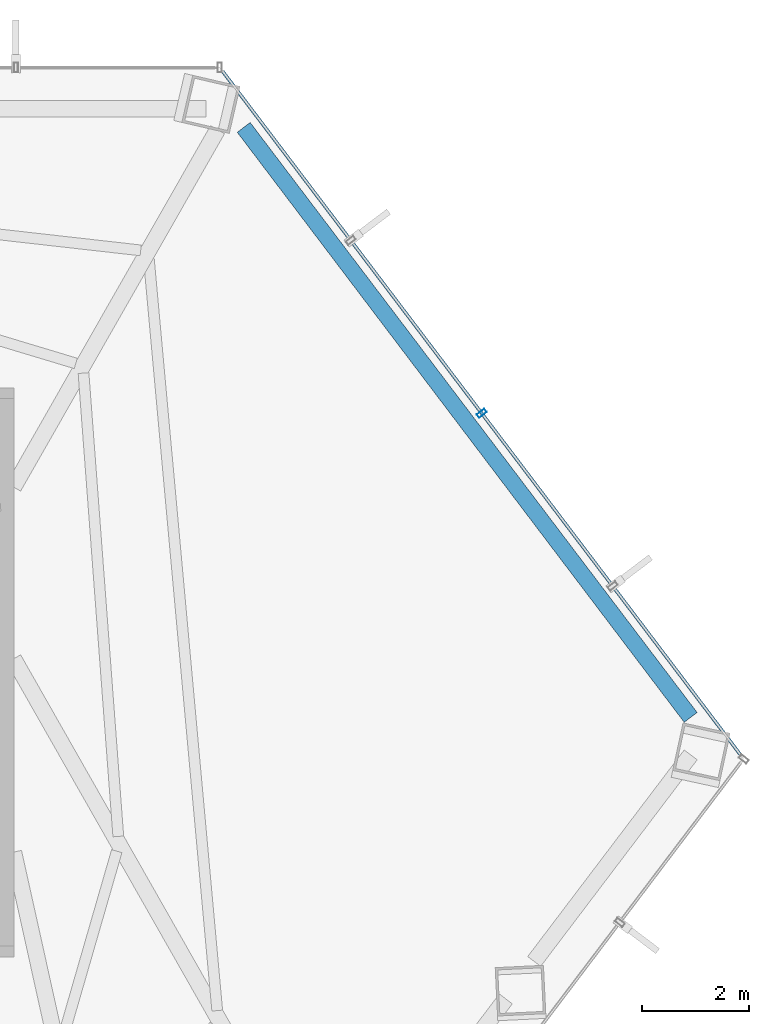
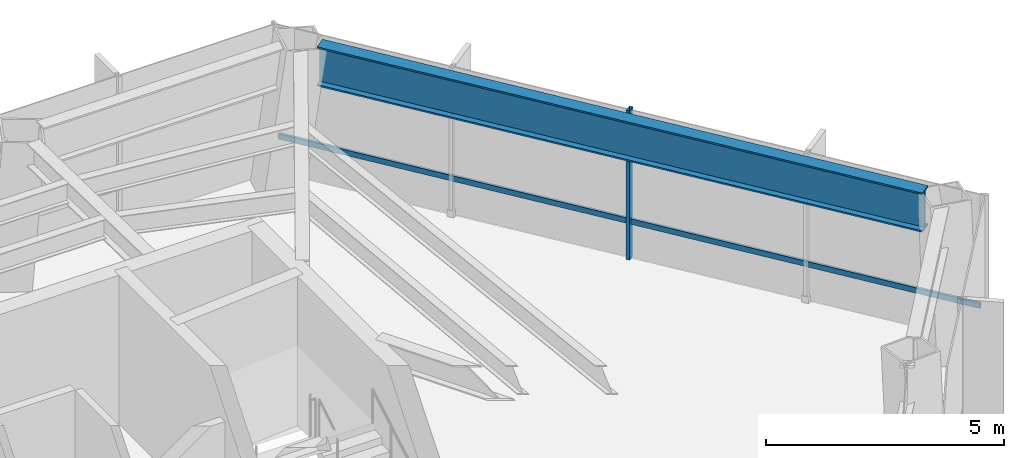
# One storey, part 21 of 26: 2 members, 1 beam, 1 element without a shape of its own.
"""IFC4 building model written with IfcOpenShell, lengths in metres."""

from ifc_helpers import new_model, si_unit, direction, frame, origin, origin_2d, place, context, subcontext, project, spatial, hollow_rectangle, i_section, extrude, material, layer, layer_set, material_profile, profile_set, type_object, element, aggregate, save


model = new_model("IFC4")

# Units and contexts
model_context = context("Model", 3, precision=1e-05, world=origin(), true_north=direction((0.0, 1.0)))
body_context = subcontext(model_context, "Body", "Model", "MODEL_VIEW")
ifc_project = project(units=[si_unit("LENGTHUNIT", "METRE"), si_unit("AREAUNIT", "SQUARE_METRE"), si_unit("VOLUMEUNIT", "CUBIC_METRE"), si_unit("PLANEANGLEUNIT", "RADIAN"), si_unit("MASSUNIT", "GRAM", prefix="KILO")], contexts=[model_context])

# Site, building, storey
site_placement = place(None, origin())
site = spatial("IfcSite", under=ifc_project, at=site_placement, CompositionType="ELEMENT")
building_placement = place(site_placement, origin())
building = spatial("IfcBuilding", under=site, at=building_placement, Name="Zarrinselat Tower", CompositionType="ELEMENT")
storey_placement = place(building_placement, frame((0.0, 0.0, 92.820068359375)))
storey = spatial("IfcBuildingStorey", under=building, at=storey_placement, Name="L22", CompositionType="ELEMENT", Elevation=92.820068359375)

# Beam
ifc_material_1 = material(Name="Steel S460M", Category="steel")
ifc_material_profile_1 = material_profile(ifc_material_1, i_section(OverallWidth=0.302001953125, OverallDepth=1.008056640625, WebThickness=0.02099609375, FlangeThickness=0.0400390625, at=origin_2d()), Name="HEM 1000")
ifc_profile_set_1 = profile_set([ifc_material_profile_1], Name="Steel S460M")
beam_type = type_object("IfcBeamType", Name="BM-HEM1000", PredefinedType="BEAM", material=ifc_profile_set_1)
beam_placement = place(storey_placement, frame((52.736083984375, 48.5009765625, 3.31591796875), z_axis=(0.603848484221, -0.797099120627, 0.0), x_axis=(0.797099120627, 0.603848484221, 0.0)))
element("IfcBeam", 1, at=beam_placement, inside=storey, type_object=beam_type, Name="L22 Perimeter Spandrel Girder SP15", PredefinedType="BEAM", context=body_context, shape_type="SweptSolid", body=[
    extrude(i_section(OverallWidth=0.302001953125, OverallDepth=1.008056640625, WebThickness=0.02099609375, FlangeThickness=0.0400390625, at=origin_2d()), origin(), (0.0, 0.0, 1.0), 13.789306640625),
])

# Curtain wall, members
ifc_material_2 = material(Name="Extruded Aluminium Alloy EN AW-6063 T6", Category="aluminium")
ifc_layer = layer(ifc_material_2, 0.18505859375)
ifc_layer_set = layer_set([ifc_layer], Name="Extruded Aluminium Alloy EN AW-6063 T6")
curtain_wall_type = type_object("IfcCurtainWallType", Name="CWS-OFF", PredefinedType="NOTDEFINED", material=ifc_layer_set)
curtain_wall_placement = place(storey_placement, origin())
curtain_wall = element("IfcCurtainWall", 2, at=curtain_wall_placement, inside=storey, type_object=curtain_wall_type, Name="L22 Unitised Curtain Wall CW-L22-E06", PredefinedType="NOTDEFINED")
ifc_material_3 = material(Name="Extruded Aluminium Alloy EN AW-6063 T6", Category="aluminium")
ifc_material_profile_2 = material_profile(ifc_material_3, hollow_rectangle(XDim=0.080078125, YDim=0.179931640625, WallThickness=0.0048828125, at=origin_2d()), Name="RHS 180x80x5")
ifc_profile_set_2 = profile_set([ifc_material_profile_2], Name="Extruded Aluminium Alloy EN AW-6063 T6")
member_type_1 = type_object("IfcMemberType", Name="MEM-CW-MUL", PredefinedType="MULLION", material=ifc_profile_set_2)
member_1_placement = place(storey_placement, frame((57.1708984375, 43.17578125, 0.0), z_axis=(0.0, 0.0, 1.0), x_axis=(-0.603858164533, 0.797091787141, 0.0)))
member_1 = element("IfcMember", 3, at=member_1_placement, type_object=member_type_1, Name="CW-L22-E06 Mullion 2", PredefinedType="MULLION", context=body_context, shape_type="SweptSolid", body=[
    extrude(hollow_rectangle(XDim=0.080078125, YDim=0.179931640625, WallThickness=0.0048828125, at=origin_2d()), origin(), (0.0, 0.0, 1.0), 3.81982421875),
])
ifc_material_4 = material(Name="Extruded Aluminium Alloy EN AW-6063 T6", Category="aluminium")
ifc_material_profile_3 = material_profile(ifc_material_4, hollow_rectangle(XDim=0.06005859375, YDim=0.139892578125, WallThickness=0.00390625, at=origin_2d()), Name="RHS 140x60x4")
ifc_profile_set_3 = profile_set([ifc_material_profile_3], Name="Extruded Aluminium Alloy EN AW-6063 T6")
member_type_2 = type_object("IfcMemberType", Name="MEM-CW-TRN", PredefinedType="USERDEFINED", material=ifc_profile_set_3)
member_2_placement = place(storey_placement, frame((61.99609375, 36.806884765625, 0.949951171875), z_axis=(-0.603872100397, 0.797081229463, 0.0), x_axis=(-0.797081229463, -0.603872100397, 0.0)))
member_2 = element("IfcMember", 4, at=member_2_placement, type_object=member_type_2, Name="CW-L22-E06 Transom 1", ObjectType="TRANSOM", PredefinedType="USERDEFINED", context=body_context, shape_type="SweptSolid", body=[
    extrude(hollow_rectangle(XDim=0.06005859375, YDim=0.139892578125, WallThickness=0.00390625, at=origin_2d()), origin(), (0.0, 0.0, 1.0), 15.98095703125),
])
aggregate(curtain_wall, [member_1, member_2])

save(model, "model.ifc")
